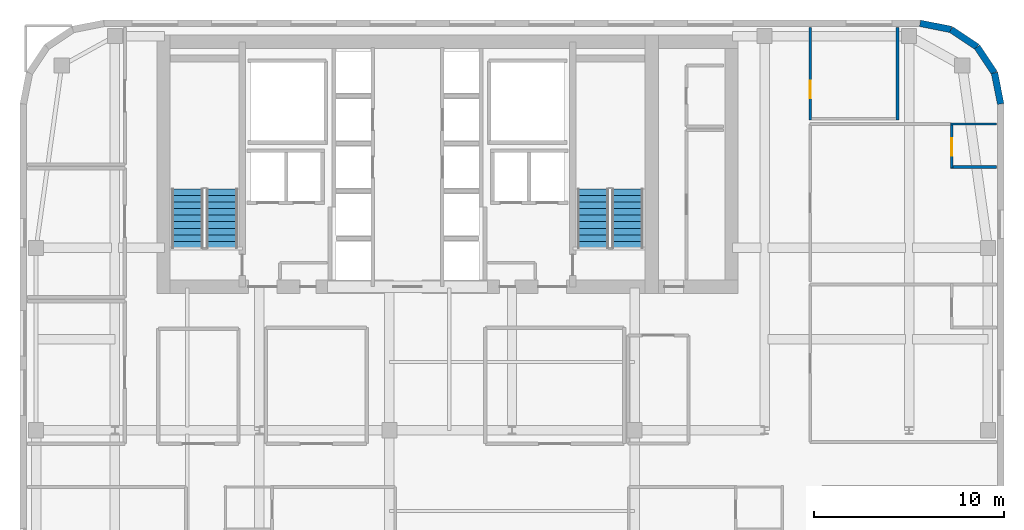
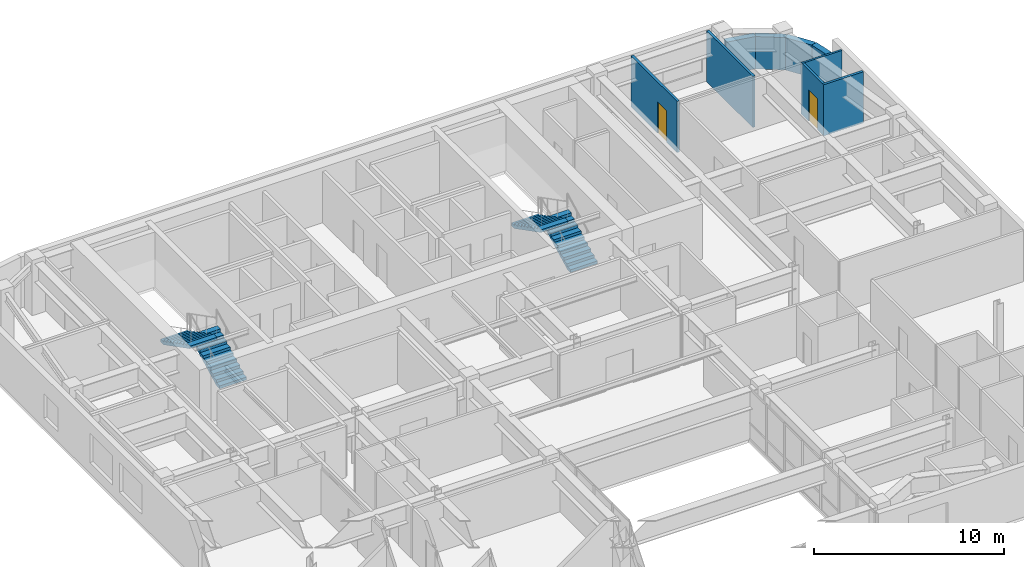
# One storey, part 12 of 13: 9 walls, 4 stair flights, 2 doors, 2 openings, 2 elements without a shape of their own.
"""IFC4 building model written with IfcOpenShell, lengths in metres."""

from ifc_helpers import new_model, si_unit, direction, frame, frame_2d, origin, place, context, subcontext, project, spatial, polyline, rectangle, outline, extrude, source, transform, mapped, material, layer, layer_set, type_object, type_shapes, element, fill, aggregate, save


model = new_model("IFC4")

# Units and contexts
model_context = context("Model", 3, precision=1e-05, world=origin(), true_north=direction((0.0, 1.0)))
body_context = subcontext(model_context, "Body", "Model", "MODEL_VIEW")
ifc_project = project(units=[si_unit("LENGTHUNIT", "METRE"), si_unit("AREAUNIT", "SQUARE_METRE"), si_unit("VOLUMEUNIT", "CUBIC_METRE"), si_unit("PLANEANGLEUNIT", "RADIAN"), si_unit("MASSUNIT", "GRAM", prefix="KILO")], contexts=[model_context])

# Site, building, storey
site_placement = place(None, origin())
site = spatial("IfcSite", under=ifc_project, at=site_placement, CompositionType="ELEMENT")
building_placement = place(site_placement, origin())
building = spatial("IfcBuilding", under=site, at=building_placement, Name="Tolvann Quenvar Hotel", CompositionType="ELEMENT")
storey_placement = place(building_placement, frame((0.0, 0.0, 201.75)))
storey = spatial("IfcBuildingStorey", under=building, at=storey_placement, Name="L53", CompositionType="ELEMENT", Elevation=201.75)

# Walls
ifc_material_1 = material(Name="Kiln-fired red and buff architectural clay brickwork and terracotta masonry", Category="masonry")
ifc_layer_1 = layer(ifc_material_1, 0.35009765625)
ifc_layer_set_1 = layer_set([ifc_layer_1], Name="Kiln-fired red and buff architectural clay brickwork and terracotta masonry")
wall_type_1 = type_object("IfcWallType", Name="WALL_EXT_BRICK_350", PredefinedType="SOLIDWALL", material=ifc_layer_set_1)
wall_1_placement = place(storey_placement, frame((54.22509765625, 41.582763671875, 0.0), z_axis=(0.0, 0.0, 1.0), x_axis=(-0.195044345786, 0.980794424524, 0.0)))
element("IfcWall", 1, at=wall_1_placement, inside=storey, type_object=wall_type_1, Name="Exterior Chicago Brick Wall L53-E14", PredefinedType="SOLIDWALL", context=body_context, shape_type="SweptSolid", body=[
    extrude(rectangle(XDim=1.664794921875, YDim=0.35009765625, at=frame_2d((0.83251953125, 0.0))), origin(), (0.0, 0.0, 1.0), 2.080078125),
])
for number, where, z_axis, x_axis, name in (
    (2, (53.900390625, 43.215576171875, 0.0), (0.0, 0.0, 1.0), (-0.555623290322, 0.831434158098, 0.0), "Exterior Chicago Brick Wall L53-E15"),
    (3, (52.985107421875, 44.585205078125, 0.0), (0.0, 0.0, 1.0), (-0.831502623162, 0.555520825599, 0.0), "Exterior Chicago Brick Wall L53-E16"),
):
    element("IfcWall", number, at=place(storey_placement, frame(where, z_axis=z_axis, x_axis=x_axis)), inside=storey, type_object=wall_type_1, Name=name, PredefinedType="SOLIDWALL", context=body_context, shape_type="SweptSolid", body=[
        extrude(rectangle(XDim=1.647216796875, YDim=0.35009765625, at=frame_2d((0.82373046875, 0.0))), origin(), (0.0, 0.0, 1.0), 2.080078125),
    ])
wall_2_placement = place(storey_placement, frame((51.615478515625, 45.500244140625, 0.0), z_axis=(0.0, 0.0, 1.0), x_axis=(-0.980788844421, 0.195072403631, 0.0)))
element("IfcWall", 4, at=wall_2_placement, inside=storey, type_object=wall_type_1, Name="Exterior Chicago Brick Wall L53-E17", PredefinedType="SOLIDWALL", context=body_context, shape_type="SweptSolid", body=[
    extrude(rectangle(XDim=1.66455078125, YDim=0.35009765625, at=frame_2d((0.832275390625, 0.0))), origin(), (0.0, 0.0, 1.0), 2.080078125),
])
ifc_material_2 = material(Name="Moisture-resistant acoustic plumbing wall assembly")
ifc_layer_2 = layer(ifc_material_2, 0.1201171875)
ifc_layer_set_2 = layer_set([ifc_layer_2], Name="Moisture-resistant acoustic plumbing wall assembly")
wall_type_2 = type_object("IfcWallType", Name="WALL_PART_BATH_120", PredefinedType="PLUMBINGWALL", material=ifc_layer_set_2)
wall_3_placement = place(storey_placement, frame((51.580078125, 40.52001953125, 0.0), z_axis=(0.0, 0.0, 1.0), x_axis=(1.0, 0.0, 0.0)))
element("IfcWall", 5, at=wall_3_placement, inside=storey, type_object=wall_type_2, Name="Non-Rated Plumbing Partition PT-SPC-L53-ENS-NE02-N", PredefinedType="PLUMBINGWALL", context=body_context, shape_type="SweptSolid", body=[
    extrude(rectangle(XDim=2.4150390625, YDim=0.1201171875, at=frame_2d((1.20751953125, 0.0))), origin(), (0.0, 0.0, 1.0), 3.2900390625),
])

# Wall, opening, door
ifc_material_3 = material(Name="Acoustic twin-stud fire-rated gypsum plasterboard partition")
ifc_layer_3 = layer(ifc_material_3, 0.14990234375)
ifc_layer_set_3 = layer_set([ifc_layer_3], Name="Acoustic twin-stud fire-rated gypsum plasterboard partition")
wall_type_3 = type_object("IfcWallType", Name="WALL_PART_SUITE_150", PredefinedType="PARTITIONING", material=ifc_layer_set_3)
wall_4_placement = place(storey_placement, frame((51.64990234375, 38.199951171875, 0.0), z_axis=(0.0, 0.0, 1.0), x_axis=(0.0, 1.0, 0.0)))
wall_4 = element("IfcWall", 6, at=wall_4_placement, inside=storey, type_object=wall_type_3, Name="Interior Partition PT-SPC-L53-ENS-NE02-ENT", PredefinedType="PARTITIONING", context=body_context, shape_type="SweptSolid", body=[
    extrude(rectangle(XDim=2.39013671875, YDim=0.14990234375, at=frame_2d((1.195068359375, 0.0))), origin(), (0.0, 0.0, 1.0), 3.2900390625),
])
opening_1_placement = place(wall_4_placement, frame((0.6650390625, 0.0, 0.0)))
opening_1 = element("IfcOpeningElement", 7, at=opening_1_placement, cuts=wall_4, Name="Opening WD-01", PredefinedType="OPENING", context=body_context, shape_type="SweptSolid", body=[
    extrude(rectangle(XDim=0.919921875, YDim=2.010009765625, at=frame_2d((0.4599609375, 1.0048828125))), frame((0.0, 0.0849609375, 0.0), z_axis=(0.0, -1.0, 0.0), x_axis=(1.0, 0.0, 0.0)), (0.0, 0.0, 1.0), 0.169921875),
])
ifc_material_4 = material(Name="Solid-core American oak acoustic fire door leaf in steel frame", Category="steel")
door_type = type_object("IfcDoorType", Name="DOOR_WC_920", OperationType="NOTDEFINED", PredefinedType="DOOR", material=ifc_material_4)
shared_shape = source(origin(), body_context, "Body", "SweptSolid", [
    extrude(rectangle(XDim=0.919921875, YDim=2.010009765625, at=frame_2d((0.4599609375, 1.0048828125))), frame((0.0, 0.02490234375, 0.0), z_axis=(0.0, -1.0, 0.0), x_axis=(1.0, 0.0, 0.0)), (0.0, 0.0, 1.0), 0.050048828125),
])
type_shapes(door_type, [shared_shape])
door_1_placement = place(opening_1_placement, origin())
door_1 = element("IfcDoor", 8, at=door_1_placement, inside=storey, type_object=door_type, Name="Interior Door DOOR-SPC-L53-ENS-NE02", OperationType="SINGLE_SWING_RIGHT", OverallHeight=2.010009765625, OverallWidth=0.919921875, PredefinedType="DOOR", context=body_context, shape_type="MappedRepresentation", body=[
    mapped(shared_shape, transform((0.0, 0.0, 0.0), x_axis=(1.0, 0.0, 0.0), y_axis=(0.0, 1.0, 0.0), z_axis=(0.0, 0.0, 1.0), scale=1.0)),
])
fill(opening_1, door_1)

# Wall
wall_5_placement = place(storey_placement, frame((51.580078125, 38.27001953125, 0.0), z_axis=(0.0, 0.0, 1.0), x_axis=(1.0, 0.0, 0.0)))
element("IfcWall", 9, at=wall_5_placement, inside=storey, type_object=wall_type_3, Name="Interior Partition PT-SPC-L53-ENS-NE02-S", PredefinedType="PARTITIONING", context=body_context, shape_type="SweptSolid", body=[
    extrude(rectangle(XDim=2.4150390625, YDim=0.14990234375, at=frame_2d((1.20751953125, 0.0))), origin(), (0.0, 0.0, 1.0), 3.2900390625),
])

# Wall, opening, door
wall_6_placement = place(storey_placement, frame((44.199951171875, 40.72998046875, 0.0), z_axis=(0.0, 0.0, 1.0), x_axis=(0.0, 1.0, 0.0)))
wall_6 = element("IfcWall", 10, at=wall_6_placement, inside=storey, type_object=wall_type_3, Name="Interior Partition PT-SPC-L53-WCA-ENT", PredefinedType="PARTITIONING", context=body_context, shape_type="SweptSolid", body=[
    extrude(rectangle(XDim=4.864990234375, YDim=0.14990234375, at=frame_2d((2.4326171875, 0.0))), origin(), (0.0, 0.0, 1.0), 3.2900390625),
])
opening_2_placement = place(wall_6_placement, frame((1.139892578125, 0.0, 0.0)))
opening_2 = element("IfcOpeningElement", 11, at=opening_2_placement, cuts=wall_6, Name="Opening WD-01", PredefinedType="OPENING", context=body_context, shape_type="SweptSolid", body=[
    extrude(rectangle(XDim=0.919921875, YDim=2.010009765625, at=frame_2d((0.4599609375, 1.0048828125))), frame((0.0, 0.0849609375, 0.0), z_axis=(0.0, -1.0, 0.0), x_axis=(1.0, 0.0, 0.0)), (0.0, 0.0, 1.0), 0.169921875),
])
door_2_placement = place(opening_2_placement, origin())
door_2 = element("IfcDoor", 12, at=door_2_placement, inside=storey, type_object=door_type, Name="Interior Door DOOR-SPC-L53-WCA", OperationType="SINGLE_SWING_LEFT", OverallHeight=2.010009765625, OverallWidth=0.919921875, PredefinedType="DOOR", context=body_context, shape_type="MappedRepresentation", body=[
    mapped(shared_shape, transform((0.0, 0.0, 0.0), x_axis=(1.0, 0.0, 0.0), y_axis=(0.0, 1.0, 0.0), z_axis=(0.0, 0.0, 1.0), scale=1.0)),
])
fill(opening_2, door_2)

# Wall
wall_7_placement = place(storey_placement, frame((48.800048828125, 40.72998046875, 0.0), z_axis=(0.0, 0.0, 1.0), x_axis=(0.0, 1.0, 0.0)))
element("IfcWall", 13, at=wall_7_placement, inside=storey, type_object=wall_type_3, Name="Interior Partition PT-SPC-L53-WCA-E", PredefinedType="PARTITIONING", context=body_context, shape_type="SweptSolid", body=[
    extrude(rectangle(XDim=4.864990234375, YDim=0.14990234375, at=frame_2d((2.4326171875, 0.0))), origin(), (0.0, 0.0, 1.0), 3.2900390625),
])

# Stair, stair flights
ifc_material_5 = material(Name="Concrete N40 (40 MPa)", Category="concrete")
stair_type = type_object("IfcStairType", Name="STAIR", PredefinedType="HALF_TURN_STAIR", material=ifc_material_5)
stair_1_placement = place(storey_placement, origin())
stair_1 = element("IfcStair", 14, at=stair_1_placement, inside=storey, type_object=stair_type, Name="L53 ST-C1", PredefinedType="HALF_TURN_STAIR")
stair_flight_type = type_object("IfcStairFlightType", Name="STAIR_FLIGHT", PredefinedType="STRAIGHT", material=ifc_material_5)
stair_flight_1_placement = place(storey_placement, frame((13.22509765625, 34.0, 0.0), z_axis=(0.0, 0.0, 1.0), x_axis=(0.0, 1.0, 0.0)))
stair_flight_1 = element("IfcStairFlight", 15, at=stair_flight_1_placement, type_object=stair_flight_type, Name="ST-C1 flight 1", NumberOfRisers=10, NumberOfTreads=9, PredefinedType="STRAIGHT", RiserHeight=0.1775, TreadLength=0.345, context=body_context, shape_type="SweptSolid", body=[
    extrude(outline(polyline([(0.0, 0.0), (0.0, 0.177490234375), (0.344970703125, 0.177490234375), (0.344970703125, 0.35498046875), (0.68994140625, 0.35498046875), (0.68994140625, 0.532470703125), (1.034912109375, 0.532470703125), (1.034912109375, 0.7099609375), (1.3798828125, 0.7099609375), (1.3798828125, 0.887451171875), (1.72509765625, 0.887451171875), (1.72509765625, 1.06494140625), (2.070068359375, 1.06494140625), (2.070068359375, 1.242431640625), (2.4150390625, 1.242431640625), (2.4150390625, 1.419921875), (2.760009765625, 1.419921875), (2.760009765625, 1.597412109375), (3.10498046875, 1.597412109375), (3.10498046875, 1.77490234375), (3.10498046875, 1.428955078125), (0.32763671875, 0.0), (0.0, 0.0)])), frame((0.0, 0.824951171875, 0.0), z_axis=(0.0, -1.0, 0.0), x_axis=(1.0, 0.0, 0.0)), (0.0, 0.0, 1.0), 1.64990234375),
])
stair_flight_2_placement = place(storey_placement, frame((11.425048828125, 37.10498046875, 1.77490234375), z_axis=(0.0, 0.0, 1.0), x_axis=(0.0, -1.0, 0.0)))
stair_flight_2 = element("IfcStairFlight", 16, at=stair_flight_2_placement, type_object=stair_flight_type, Name="ST-C1 flight 2", NumberOfRisers=10, NumberOfTreads=9, PredefinedType="STRAIGHT", RiserHeight=0.1775, TreadLength=0.345, context=body_context, shape_type="SweptSolid", body=[
    extrude(outline(polyline([(0.0, 0.0), (0.0, 0.177490234375), (0.344970703125, 0.177490234375), (0.344970703125, 0.35498046875), (0.68994140625, 0.35498046875), (0.68994140625, 0.532470703125), (1.034912109375, 0.532470703125), (1.034912109375, 0.7099609375), (1.3798828125, 0.7099609375), (1.3798828125, 0.887451171875), (1.72509765625, 0.887451171875), (1.72509765625, 1.06494140625), (2.070068359375, 1.06494140625), (2.070068359375, 1.242431640625), (2.4150390625, 1.242431640625), (2.4150390625, 1.419921875), (2.760009765625, 1.419921875), (2.760009765625, 1.597412109375), (3.10498046875, 1.597412109375), (3.10498046875, 1.77490234375), (3.10498046875, 1.428955078125), (0.32763671875, 0.0), (0.0, 0.0)])), frame((0.0, 0.824951171875, 0.0), z_axis=(0.0, -1.0, 0.0), x_axis=(1.0, 0.0, 0.0)), (0.0, 0.0, 1.0), 1.64990234375),
])
aggregate(stair_1, [stair_flight_1, stair_flight_2])

stair_2_placement = place(storey_placement, origin())
stair_2 = element("IfcStair", 17, at=stair_2_placement, inside=storey, type_object=stair_type, Name="L53 ST-C2", PredefinedType="HALF_TURN_STAIR")
stair_flight_3_placement = place(storey_placement, frame((34.574951171875, 34.0, 0.0), z_axis=(0.0, 0.0, 1.0), x_axis=(0.0, 1.0, 0.0)))
stair_flight_3 = element("IfcStairFlight", 18, at=stair_flight_3_placement, type_object=stair_flight_type, Name="ST-C2 flight 1", NumberOfRisers=10, NumberOfTreads=9, PredefinedType="STRAIGHT", RiserHeight=0.1775, TreadLength=0.345, context=body_context, shape_type="SweptSolid", body=[
    extrude(outline(polyline([(0.0, 0.0), (0.0, 0.177490234375), (0.344970703125, 0.177490234375), (0.344970703125, 0.35498046875), (0.68994140625, 0.35498046875), (0.68994140625, 0.532470703125), (1.034912109375, 0.532470703125), (1.034912109375, 0.7099609375), (1.3798828125, 0.7099609375), (1.3798828125, 0.887451171875), (1.72509765625, 0.887451171875), (1.72509765625, 1.06494140625), (2.070068359375, 1.06494140625), (2.070068359375, 1.242431640625), (2.4150390625, 1.242431640625), (2.4150390625, 1.419921875), (2.760009765625, 1.419921875), (2.760009765625, 1.597412109375), (3.10498046875, 1.597412109375), (3.10498046875, 1.77490234375), (3.10498046875, 1.428955078125), (0.32763671875, 0.0), (0.0, 0.0)])), frame((0.0, 0.824951171875, 0.0), z_axis=(0.0, -1.0, 0.0), x_axis=(1.0, 0.0, 0.0)), (0.0, 0.0, 1.0), 1.64990234375),
])
stair_flight_4_placement = place(storey_placement, frame((32.77490234375, 37.10498046875, 1.77490234375), z_axis=(0.0, 0.0, 1.0), x_axis=(0.0, -1.0, 0.0)))
stair_flight_4 = element("IfcStairFlight", 19, at=stair_flight_4_placement, type_object=stair_flight_type, Name="ST-C2 flight 2", NumberOfRisers=10, NumberOfTreads=9, PredefinedType="STRAIGHT", RiserHeight=0.1775, TreadLength=0.345, context=body_context, shape_type="SweptSolid", body=[
    extrude(outline(polyline([(0.0, 0.0), (0.0, 0.177490234375), (0.344970703125, 0.177490234375), (0.344970703125, 0.35498046875), (0.68994140625, 0.35498046875), (0.68994140625, 0.532470703125), (1.034912109375, 0.532470703125), (1.034912109375, 0.7099609375), (1.3798828125, 0.7099609375), (1.3798828125, 0.887451171875), (1.72509765625, 0.887451171875), (1.72509765625, 1.06494140625), (2.070068359375, 1.06494140625), (2.070068359375, 1.242431640625), (2.4150390625, 1.242431640625), (2.4150390625, 1.419921875), (2.760009765625, 1.419921875), (2.760009765625, 1.597412109375), (3.10498046875, 1.597412109375), (3.10498046875, 1.77490234375), (3.10498046875, 1.428955078125), (0.32763671875, 0.0), (0.0, 0.0)])), frame((0.0, 0.824951171875, 0.0), z_axis=(0.0, -1.0, 0.0), x_axis=(1.0, 0.0, 0.0)), (0.0, 0.0, 1.0), 1.64990234375),
])
aggregate(stair_2, [stair_flight_3, stair_flight_4])

save(model, "model.ifc")
